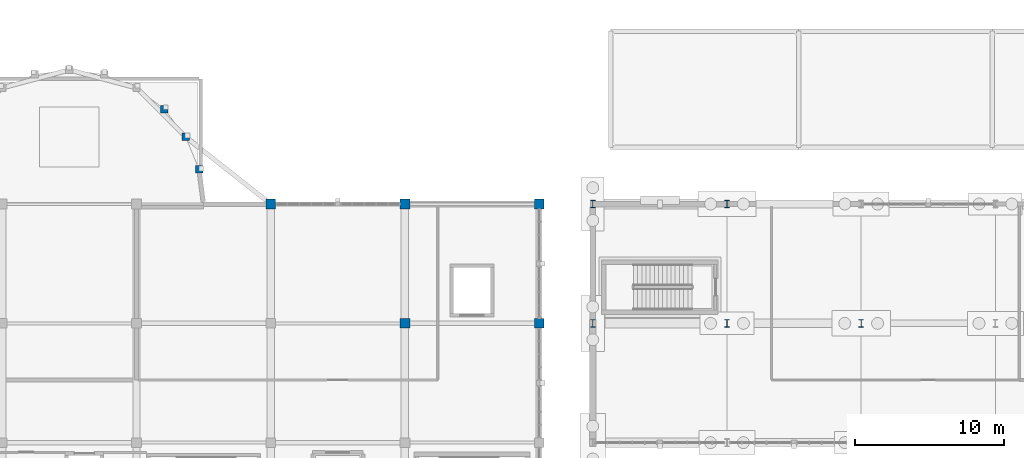
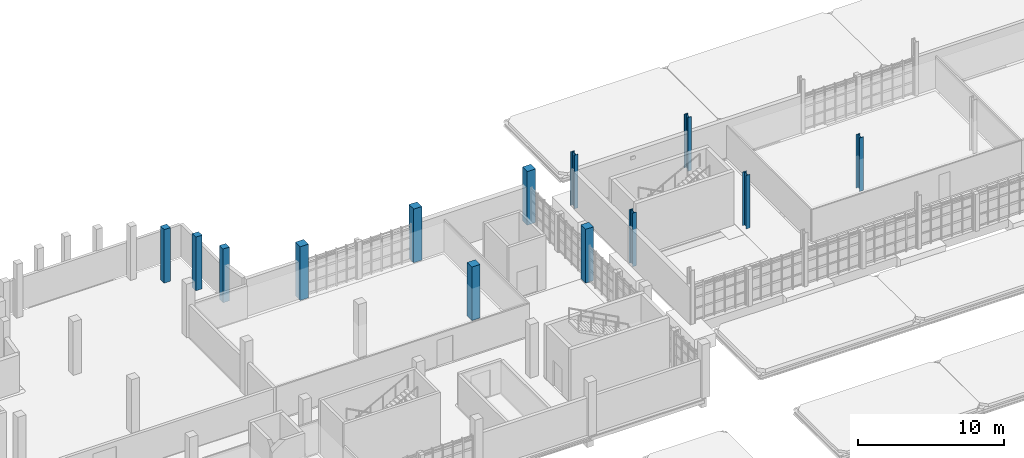
# One storey, part 7 of 125: 13 columns.
"""IFC4 building model written with IfcOpenShell, lengths in metres."""

import ifcopenshell
import ifcopenshell.guid

model = None  # the IFC model being written
_history = None  # IfcOwnerHistory: only IFC2X3 demands one
_inside = {}  # id of a spatial element -> (the spatial element, [elements in it])
_under = {}  # id of a project, library or spatial element -> (it, [spatial elements below it])
_declared = {}  # id of a project -> (the project, [libraries it declares])
_typed = {}  # id of a type object -> (the type object, [elements of that type])
_made_of = {}  # id of a material, layer set ... -> (it, [elements and type objects made of it])


def new_model(schema):
    """Start an empty IFC model of exactly this schema.

    Asked for "IFC4X3", IfcOpenShell would pick the latest addendum, in which some entities
    have other attributes; the version numbers below select the first issue.
    IFC2X3 requires an IfcOwnerHistory on every rooted entity: one is made here for all.
    """
    global model, _history
    if schema == "IFC4X3":
        model = ifcopenshell.file(schema_version=(4, 3, 0, 0))
    else:
        model = ifcopenshell.file(schema=schema)
    _inside.clear()
    _under.clear()
    _declared.clear()
    _typed.clear()
    _made_of.clear()
    _history = None
    if model.schema == "IFC2X3":
        org = make("IfcOrganization", Name="unknown")
        user = make(
            "IfcPersonAndOrganization",
            ThePerson=make("IfcPerson", FamilyName="unknown"),
            TheOrganization=org,
        )
        app = make(
            "IfcApplication",
            ApplicationDeveloper=org,
            Version="unknown",
            ApplicationFullName="unknown",
            ApplicationIdentifier="unknown",
        )
        _history = make(
            "IfcOwnerHistory",
            OwningUser=user,
            OwningApplication=app,
            ChangeAction="ADDED",
            CreationDate=0,
        )
    return model


def make(cls, **values):
    """One entity of the class cls with the attributes given. An attribute that is None is left unset."""
    return model.create_entity(
        cls, **{name: value for name, value in values.items() if value is not None}
    )


def rooted(cls, **values):
    """An entity with a GlobalId (a new one), such as an element, a storey or a relation."""
    return make(cls, GlobalId=ifcopenshell.guid.new(), OwnerHistory=_history, **values)


def si_unit(unit_type, name, prefix=None):
    """IfcSIUnit, for example si_unit("LENGTHUNIT", "METRE", prefix="MILLI")."""
    return make("IfcSIUnit", UnitType=unit_type, Prefix=prefix, Name=name)


def assignment(units):
    """IfcUnitAssignment: the units of a project."""
    return None if units is None else make("IfcUnitAssignment", Units=units)


def point(xyz):
    """IfcCartesianPoint."""
    return None if xyz is None else make("IfcCartesianPoint", Coordinates=xyz)


def direction(xyz):
    """IfcDirection."""
    return None if xyz is None else make("IfcDirection", DirectionRatios=xyz)


def frame(location, z_axis=None, x_axis=None):
    """IfcAxis2Placement3D, a coordinate frame: its origin and axes. An axis left out is left unset."""
    return make(
        "IfcAxis2Placement3D",
        Location=point(location),
        Axis=direction(z_axis),
        RefDirection=direction(x_axis),
    )


def frame_2d(location, x_axis=None):
    """IfcAxis2Placement2D, a coordinate frame in the plane: its origin and x axis."""
    return make(
        "IfcAxis2Placement2D", Location=point(location), RefDirection=direction(x_axis)
    )


def origin():
    """The frame at (0, 0, 0) with its axes left unset."""
    return frame((0.0, 0.0, 0.0))


def origin_2d():
    """The frame at (0, 0) in the plane with its x axis left unset."""
    return frame_2d((0.0, 0.0))


def place(relative_to, where):
    """IfcLocalPlacement: puts the frame where relative to a parent placement (None: the world)."""
    return make(
        "IfcLocalPlacement", PlacementRelTo=relative_to, RelativePlacement=where
    )


def context(
    kind, dimensions, precision=None, world=None, true_north=None, identifier=None
):
    """IfcGeometricRepresentationContext, for example the 3D "Model" context."""
    return make(
        "IfcGeometricRepresentationContext",
        ContextIdentifier=identifier,
        ContextType=kind,
        CoordinateSpaceDimension=dimensions,
        Precision=precision,
        WorldCoordinateSystem=world,
        TrueNorth=true_north,
    )


def subcontext(parent, identifier, kind, view, scale=None):
    """IfcGeometricRepresentationSubContext, for example "Body" below "Model"."""
    return make(
        "IfcGeometricRepresentationSubContext",
        ContextIdentifier=identifier,
        ContextType=kind,
        ParentContext=parent,
        TargetScale=scale,
        TargetView=view,
    )


def project(units=None, contexts=None):
    """IfcProject with its units and contexts."""
    return rooted(
        "IfcProject",
        Name="project",
        RepresentationContexts=contexts,
        UnitsInContext=assignment(units),
    )


def spatial(cls, under=None, at=None, **own):
    """A site, building, storey or space (cls), placed at a placement, below another one or the project."""
    s = rooted(cls, ObjectPlacement=at, **own)
    if under is not None:
        _under.setdefault(under.id(), (under, []))[1].append(s)
    return s


def profile(cls, at=None, kind="AREA", **sizes):
    """A parametric profile (cls). Its sizes go by their IFC names, for example OverallWidth=200.0."""
    return make(cls, ProfileType=kind, Position=at, **sizes)


def rectangle(**sizes):
    """IfcRectangleProfileDef."""
    return profile("IfcRectangleProfileDef", **sizes)


def i_section(**sizes):
    """IfcIShapeProfileDef."""
    return profile("IfcIShapeProfileDef", **sizes)


def extrude(swept, where, along, depth):
    """IfcExtrudedAreaSolid: the profile swept, set in the frame where, extruded along a direction by depth."""
    return make(
        "IfcExtrudedAreaSolid",
        SweptArea=swept,
        Position=where,
        ExtrudedDirection=direction(along),
        Depth=depth,
    )


def shape(context_of_items, identifier, shape_type, items):
    """IfcShapeRepresentation: the items that make up one representation, for example the "Body"."""
    return make(
        "IfcShapeRepresentation",
        ContextOfItems=context_of_items,
        RepresentationIdentifier=identifier,
        RepresentationType=shape_type,
        Items=items,
    )


def material(Name=None, Category=None):
    """IfcMaterial."""
    return make("IfcMaterial", Name=Name, Category=Category)


def material_profile(
    of_material, cross_section, Name=None, Category=None, Priority=None
):
    """IfcMaterialProfile: a cross section and its material."""
    return make(
        "IfcMaterialProfile",
        Name=Name,
        Material=of_material,
        Profile=cross_section,
        Priority=Priority,
        Category=Category,
    )


def profile_set(profiles, Name=None, composite=None):
    """IfcMaterialProfileSet."""
    return make(
        "IfcMaterialProfileSet",
        Name=Name,
        MaterialProfiles=profiles,
        CompositeProfile=composite,
    )


def made_of(thing, what):
    """Note that an element or type object is made of a material, layer set ...; save() writes the relation."""
    if what is not None:
        _made_of.setdefault(what.id(), (what, []))[1].append(thing)
    return thing


def type_object(cls, material=None, **own):
    """A type object (cls), such as IfcWallType, which elements share."""
    return made_of(rooted(cls, **own), material)


def element(
    cls,
    number,
    at=None,
    inside=None,
    cuts=None,
    type_object=None,
    material=None,
    context=None,
    identifier="Body",
    shape_type=None,
    held_by="IfcProductDefinitionShape",
    body=None,
    shapes=None,
    **own,
):
    """One element of the class cls, such as IfcWall. Its Tag is "e" and its number.

    at: its placement. inside: the storey or other place that contains it. cuts: it is an
    opening in that element (IfcRelVoidsElement). A single representation is given by context,
    identifier, shape_type and body (its items); several are given by shapes. held_by: the class
    of the entity that holds the representations. save() writes the other relations.
    """
    e = rooted(cls, Tag="e%d" % number, ObjectPlacement=at, **own)
    if body is not None:
        shapes = [shape(context, identifier, shape_type, body)]
    if shapes is not None:
        e.Representation = make(held_by, Representations=shapes)
    if inside is not None:
        _inside.setdefault(inside.id(), (inside, []))[1].append(e)
    if cuts is not None:
        rooted(
            "IfcRelVoidsElement", RelatingBuildingElement=cuts, RelatedOpeningElement=e
        )
    if type_object is not None:
        _typed.setdefault(type_object.id(), (type_object, []))[1].append(e)
    return made_of(e, material)


def aggregate(whole, parts):
    """IfcRelAggregates: a whole, such as a stair, and the parts it consists of."""
    return rooted("IfcRelAggregates", RelatingObject=whole, RelatedObjects=parts)


def save(model, path):
    """Write the relations noted so far, then the file.

    IfcRelAggregates (storeys below a building ...), IfcRelContainedInSpatialStructure (elements
    in a storey), IfcRelDefinesByType, IfcRelAssociatesMaterial and IfcRelDeclares: one each for
    every whole, place, type object, material and project.
    """
    for whole, parts in _under.values():
        aggregate(whole, parts)
    for where, things in _inside.values():
        rooted(
            "IfcRelContainedInSpatialStructure",
            RelatedElements=things,
            RelatingStructure=where,
        )
    for kind, things in _typed.values():
        rooted("IfcRelDefinesByType", RelatedObjects=things, RelatingType=kind)
    for what, things in _made_of.values():
        rooted("IfcRelAssociatesMaterial", RelatedObjects=things, RelatingMaterial=what)
    for by, libraries in _declared.values():
        rooted("IfcRelDeclares", RelatingContext=by, RelatedDefinitions=libraries)
    model.write(path)


model = new_model("IFC4")

# Units and contexts
model_context = context("Model", 3, precision=1e-05, world=origin(), true_north=direction((0.0, 1.0)))
body_context = subcontext(model_context, "Body", "Model", "MODEL_VIEW")
ifc_project = project(units=[si_unit("LENGTHUNIT", "METRE"), si_unit("AREAUNIT", "SQUARE_METRE"), si_unit("VOLUMEUNIT", "CUBIC_METRE"), si_unit("PLANEANGLEUNIT", "RADIAN"), si_unit("MASSUNIT", "GRAM", prefix="KILO")], contexts=[model_context])

# Site, building, storey
site_placement = place(None, origin())
site = spatial("IfcSite", under=ifc_project, at=site_placement, CompositionType="ELEMENT")
building_placement = place(site_placement, origin())
building = spatial("IfcBuilding", under=site, at=building_placement, Name="Serraforn Aerial Cableway Station", CompositionType="ELEMENT")
storey_placement = place(building_placement, frame((0.0, 0.0, 4.5)))
storey = spatial("IfcBuildingStorey", under=building, at=storey_placement, Name="L01", CompositionType="ELEMENT", Elevation=4.5)

# Columns
ifc_material_1 = material(Name="Concrete C35/45", Category="concrete")
ifc_material_profile_1 = material_profile(ifc_material_1, rectangle(XDim=0.5, YDim=0.5, at=origin_2d()), Name="RC 500x500")
ifc_profile_set_1 = profile_set([ifc_material_profile_1], Name="Concrete C35/45")
column_type_1 = type_object("IfcColumnType", Name="COL-RC-500E", PredefinedType="COLUMN", material=ifc_profile_set_1)
for number, where, z_axis, x_axis, name in (
    (1, (65.464111328125, 48.364013671875, 0.0), (0.0, 0.0, 1.0), (1.0, 0.0, 0.0), "Apse Radial Column L01-9"),
    (2, (66.894287109375, 46.5, 0.0), (0.0, 0.0, 1.0), (1.0, 0.0, 0.0), "Apse Radial Column L01-10"),
    (3, (67.793212890625, 44.329345703125, 0.0), (0.0, 0.0, 1.0), (1.0, 0.0, 0.0), "Apse Radial Column L01-11"),
):
    element("IfcColumn", number, at=place(storey_placement, frame(where, z_axis=z_axis, x_axis=x_axis)), inside=storey, type_object=column_type_1, Name=name, PredefinedType="COLUMN", context=body_context, shape_type="SweptSolid", body=[
        extrude(rectangle(XDim=0.5, YDim=0.5, at=origin_2d()), origin(), (0.0, 0.0, 1.0), 4.5),
    ])
ifc_material_profile_2 = material_profile(ifc_material_1, rectangle(XDim=0.64990234375, YDim=0.64990234375, at=origin_2d()), Name="RC 650x650")
ifc_profile_set_2 = profile_set([ifc_material_profile_2], Name="Concrete C35/45")
column_type_2 = type_object("IfcColumnType", Name="COL-RC-650", PredefinedType="COLUMN", material=ifc_profile_set_2)
column_placement = place(storey_placement, frame((81.60009765625, 34.0, 0.0), z_axis=(0.0, 0.0, 1.0), x_axis=(1.0, 0.0, 0.0)))
element("IfcColumn", 4, at=column_placement, inside=storey, type_object=column_type_2, Name="Column CV L01 11-D2", PredefinedType="COLUMN", context=body_context, shape_type="SweptSolid", body=[
    extrude(rectangle(XDim=0.64990234375, YDim=0.64990234375, at=origin_2d()), origin(), (0.0, 0.0, 1.0), 4.5),
])
ifc_material_profile_3 = material_profile(ifc_material_1, rectangle(XDim=0.64990234375, YDim=0.64990234375, at=origin_2d()), Name="RC 650x650")
ifc_profile_set_3 = profile_set([ifc_material_profile_3], Name="Concrete C35/45")
column_type_3 = type_object("IfcColumnType", Name="COL-RC-650E", PredefinedType="COLUMN", material=ifc_profile_set_3)
for number, where, z_axis, x_axis, name in (
    (5, (72.60009765625, 42.0, 0.0), (0.0, 0.0, 1.0), (1.0, 0.0, 0.0), "Column CV L01 10-F"),
    (6, (81.60009765625, 42.0, 0.0), (0.0, 0.0, 1.0), (1.0, 0.0, 0.0), "Column CV L01 11-F"),
    (7, (90.60009765625, 34.0, 0.0), (0.0, 0.0, 1.0), (1.0, 0.0, 0.0), "Column CV L01 12-D2"),
    (8, (90.60009765625, 42.0, 0.0), (0.0, 0.0, 1.0), (1.0, 0.0, 0.0), "Column CV L01 12-F"),
):
    element("IfcColumn", number, at=place(storey_placement, frame(where, z_axis=z_axis, x_axis=x_axis)), inside=storey, type_object=column_type_3, Name=name, PredefinedType="COLUMN", context=body_context, shape_type="SweptSolid", body=[
        extrude(rectangle(XDim=0.64990234375, YDim=0.64990234375, at=origin_2d()), origin(), (0.0, 0.0, 1.0), 4.5),
    ])
ifc_material_2 = material(Name="Steel S355J2", Category="steel")
ifc_material_profile_4 = material_profile(ifc_material_2, i_section(OverallWidth=0.300048828125, OverallDepth=0.5, WebThickness=0.011962890625, FlangeThickness=0.02294921875, FilletRadius=0.027099609375, at=origin_2d()), Name="HEA 500")
ifc_profile_set_4 = profile_set([ifc_material_profile_4], Name="Steel S355J2")
column_type_4 = type_object("IfcColumnType", Name="COL-ST-HEA500", PredefinedType="COLUMN", material=ifc_profile_set_4)
for number, where, z_axis, x_axis, name in (
    (9, (94.199951171875, 34.0, 0.0), (0.0, 0.0, 1.0), (1.0, 0.0, 0.0), "Column EL L01 13-D2"),
    (10, (94.199951171875, 42.0, 0.0), (0.0, 0.0, 1.0), (1.0, 0.0, 0.0), "Column EL L01 13-F"),
    (11, (103.199951171875, 34.0, 0.0), (0.0, 0.0, 1.0), (1.0, 0.0, 0.0), "Column EL L01 14-D2"),
    (12, (103.199951171875, 42.0, 0.0), (0.0, 0.0, 1.0), (1.0, 0.0, 0.0), "Column EL L01 14-F"),
    (13, (112.199951171875, 34.0, 0.0), (0.0, 0.0, 1.0), (1.0, 0.0, 0.0), "Column EL L01 15-D2"),
):
    element("IfcColumn", number, at=place(storey_placement, frame(where, z_axis=z_axis, x_axis=x_axis)), inside=storey, type_object=column_type_4, Name=name, PredefinedType="COLUMN", context=body_context, shape_type="SweptSolid", body=[
        extrude(i_section(OverallWidth=0.300048828125, OverallDepth=0.5, WebThickness=0.011962890625, FlangeThickness=0.02294921875, FilletRadius=0.027099609375, at=origin_2d()), origin(), (0.0, 0.0, 1.0), 4.5),
    ])

save(model, "model.ifc")
